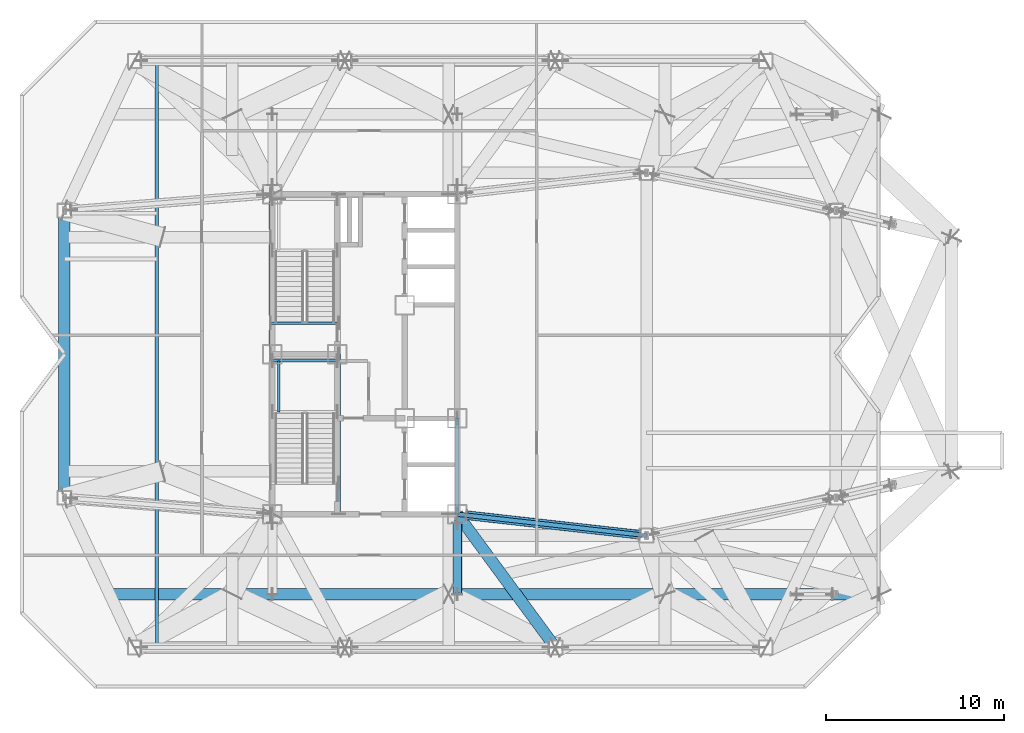
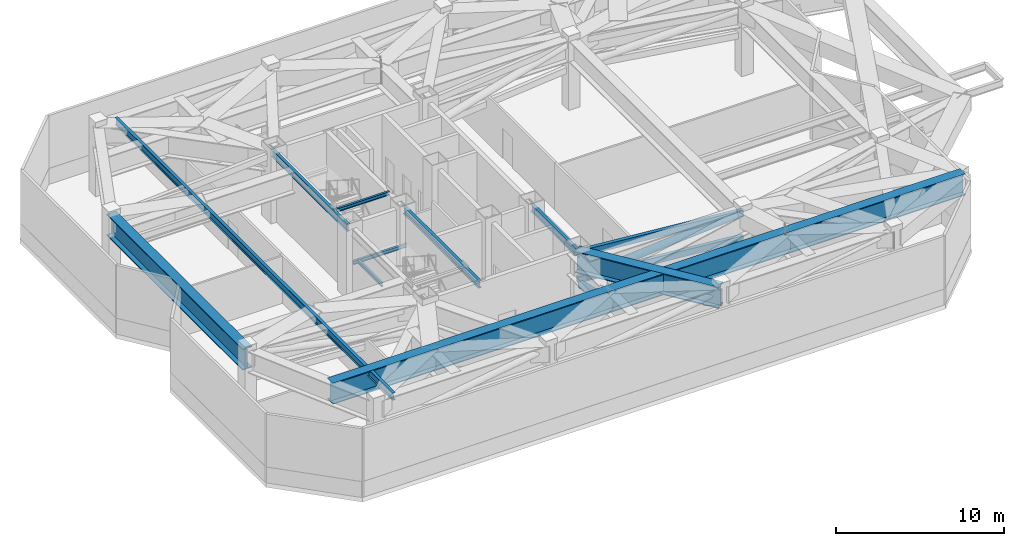
# One storey, part 3 of 19: 10 beams, 4 members.
"""IFC4 building model written with IfcOpenShell, lengths in metres."""

from ifc_helpers import new_model, si_unit, direction, frame, origin, origin_2d, place, context, subcontext, project, spatial, hollow_rectangle, hollow_circle, i_section, extrude, material, material_profile, profile_set, type_object, element, save


model = new_model("IFC4")

# Units and contexts
model_context = context("Model", 3, precision=1e-05, world=origin(), true_north=direction((0.0, 1.0)))
body_context = subcontext(model_context, "Body", "Model", "MODEL_VIEW")
ifc_project = project(units=[si_unit("LENGTHUNIT", "METRE"), si_unit("AREAUNIT", "SQUARE_METRE"), si_unit("VOLUMEUNIT", "CUBIC_METRE"), si_unit("PLANEANGLEUNIT", "RADIAN"), si_unit("MASSUNIT", "GRAM", prefix="KILO")], contexts=[model_context])

# Site, building, storey
site_placement = place(None, origin())
site = spatial("IfcSite", under=ifc_project, at=site_placement, CompositionType="ELEMENT")
building_placement = place(site_placement, origin())
building = spatial("IfcBuilding", under=site, at=building_placement, Name="Khamvora Tower", CompositionType="ELEMENT")
storey_placement = place(building_placement, frame((0.0, 0.0, 211.800048828125)))
storey = spatial("IfcBuildingStorey", under=building, at=storey_placement, Name="L54", CompositionType="ELEMENT", Elevation=211.800048828125)

# Beams
ifc_material_1 = material(Name="Steel S355", Category="steel")
ifc_material_profile_1 = material_profile(ifc_material_1, i_section(OverallWidth=0.14697265625, OverallDepth=0.261962890625, WebThickness=0.007080078125, FlangeThickness=0.010986328125, FilletRadius=0.008056640625, at=origin_2d()), Name="W250x39")
ifc_profile_set_1 = profile_set([ifc_material_profile_1], Name="Steel S355")
beam_type_1 = type_object("IfcBeamType", Name="BM-LN-W250x39", PredefinedType="LINTEL", material=ifc_profile_set_1)
beam_1_placement = place(storey_placement, frame((29.0, 27.6298828125, 2.368896484375), z_axis=(1.0, 0.0, 0.0), x_axis=(0.0, 1.0, 0.0)))
element("IfcBeam", 1, at=beam_1_placement, inside=storey, type_object=beam_type_1, Name="L54 ST-01 half-landing support beam 1.2", PredefinedType="LINTEL", context=body_context, shape_type="SweptSolid", body=[
    extrude(i_section(OverallWidth=0.14697265625, OverallDepth=0.261962890625, WebThickness=0.007080078125, FlangeThickness=0.010986328125, FilletRadius=0.008056640625, at=origin_2d()), origin(), (0.0, 0.0, 1.0), 3.64990234375),
])
beam_2_placement = place(storey_placement, frame((29.35009765625, 24.7548828125, 2.368896484375), z_axis=(0.0, 1.0, 0.0), x_axis=(-1.0, 0.0, 0.0)))
element("IfcBeam", 2, at=beam_2_placement, inside=storey, type_object=beam_type_1, Name="L54 ST-01 half-landing edge stringer 1", PredefinedType="LINTEL", context=body_context, shape_type="SweptSolid", body=[
    extrude(i_section(OverallWidth=0.14697265625, OverallDepth=0.261962890625, WebThickness=0.007080078125, FlangeThickness=0.010986328125, FilletRadius=0.008056640625, at=origin_2d()), origin(), (0.0, 0.0, 1.0), 2.875),
])
beam_3_placement = place(storey_placement, frame((28.89990234375, 29.75, 4.85400390625), z_axis=(1.0, 0.0, 0.0), x_axis=(0.0, 1.0, 0.0)))
element("IfcBeam", 3, at=beam_3_placement, inside=storey, type_object=beam_type_1, Name="L54 exit stair ST-02 landing trimmer beam", PredefinedType="LINTEL", context=body_context, shape_type="SweptSolid", body=[
    extrude(i_section(OverallWidth=0.14697265625, OverallDepth=0.261962890625, WebThickness=0.007080078125, FlangeThickness=0.010986328125, FilletRadius=0.008056640625, at=origin_2d()), origin(), (0.0, 0.0, 1.0), 3.830078125),
])
ifc_material_profile_2 = material_profile(ifc_material_1, i_section(OverallWidth=0.208984375, OverallDepth=0.532958984375, WebThickness=0.010009765625, FlangeThickness=0.01611328125, FilletRadius=0.013916015625, at=origin_2d()), Name="W530x92")
ifc_profile_set_2 = profile_set([ifc_material_profile_2], Name="Steel S355")
beam_type_2 = type_object("IfcBeamType", Name="BM-SP-W530x92", PredefinedType="SPANDREL", material=ifc_profile_set_2)
for number, where, z_axis, x_axis, name in (
    (4, (28.89990234375, 28.0, 4.712890625), (0.0, 1.0, 0.0), (-1.0, 0.0, 0.0), "L54 core spine girder WN"),
    (5, (32.72998046875, 19.0, 4.712890625), (0.0, 1.0, 0.0), (-1.0, 0.0, 0.0), "L54 core spine girder M1S"),
):
    element("IfcBeam", number, at=place(storey_placement, frame(where, z_axis=z_axis, x_axis=x_axis)), inside=storey, type_object=beam_type_2, Name=name, PredefinedType="SPANDREL", context=body_context, shape_type="SweptSolid", body=[
        extrude(i_section(OverallWidth=0.208984375, OverallDepth=0.532958984375, WebThickness=0.010009765625, FlangeThickness=0.01611328125, FilletRadius=0.013916015625, at=origin_2d()), origin(), (0.0, 0.0, 1.0), 9.0),
    ])
beam_4_placement = place(storey_placement, frame((39.39990234375, 19.0, 4.712890625), z_axis=(0.0, 1.0, 0.0), x_axis=(-1.0, 0.0, 0.0)))
element("IfcBeam", 6, at=beam_4_placement, inside=storey, type_object=beam_type_2, Name="L54 core spine girder ES", PredefinedType="SPANDREL", context=body_context, shape_type="SweptSolid", body=[
    extrude(i_section(OverallWidth=0.208984375, OverallDepth=0.532958984375, WebThickness=0.010009765625, FlangeThickness=0.01611328125, FilletRadius=0.013916015625, at=origin_2d()), origin(), (0.0, 0.0, 1.0), 5.39990234375),
])
beam_5_placement = place(storey_placement, frame((22.5, 11.5, 4.712890625), z_axis=(0.0, 1.0, 0.0), x_axis=(-1.0, 0.0, 0.0)))
element("IfcBeam", 7, at=beam_5_placement, inside=storey, type_object=beam_type_2, Name="L54 gallery back-span collector girder W", PredefinedType="SPANDREL", context=body_context, shape_type="SweptSolid", body=[
    extrude(i_section(OverallWidth=0.208984375, OverallDepth=0.532958984375, WebThickness=0.010009765625, FlangeThickness=0.01611328125, FilletRadius=0.013916015625, at=origin_2d()), origin(), (0.0, 0.0, 1.0), 33.0),
])
ifc_material_2 = material(Name="Steel S460", Category="steel")
ifc_material_profile_3 = material_profile(ifc_material_2, i_section(OverallWidth=0.64990234375, OverallDepth=1.550048828125, WebThickness=0.0400390625, FlangeThickness=0.06494140625, at=origin_2d()), Name="PG1550x650x40x65")
ifc_profile_set_3 = profile_set([ifc_material_profile_3], Name="Steel S460")
beam_type_3 = type_object("IfcBeamType", Name="BM-TG-PG1800", PredefinedType="BEAM", material=ifc_profile_set_3)
beam_6_placement = place(storey_placement, frame((17.300048828125, 36.074951171875, 4.204833984375), z_axis=(0.0, -1.0, 0.0), x_axis=(1.0, 0.0, 0.0)))
element("IfcBeam", 8, at=beam_6_placement, inside=storey, type_object=beam_type_3, Name="L54 perimeter spandrel beam W2-W1", PredefinedType="BEAM", context=body_context, shape_type="SweptSolid", body=[
    extrude(i_section(OverallWidth=0.64990234375, OverallDepth=1.550048828125, WebThickness=0.0400390625, FlangeThickness=0.06494140625, at=origin_2d()), origin(), (0.0, 0.0, 1.0), 16.14990234375),
])
beam_7_placement = place(storey_placement, frame((39.39990234375, 19.0, 4.204833984375), z_axis=(0.592556630955, -0.805528794713, 0.0), x_axis=(0.805528794713, 0.592556630955, 0.0)))
element("IfcBeam", 9, at=beam_7_placement, inside=storey, type_object=beam_type_3, Name="L54 primary floor girder S3", PredefinedType="BEAM", context=body_context, shape_type="SweptSolid", body=[
    extrude(i_section(OverallWidth=0.64990234375, OverallDepth=1.550048828125, WebThickness=0.0400390625, FlangeThickness=0.06494140625, at=origin_2d()), origin(), (0.0, 0.0, 1.0), 9.310546875),
])
beam_8_placement = place(storey_placement, frame((19.843017578125, 14.5, 4.204833984375), z_axis=(1.0, 0.0, 0.0), x_axis=(0.0, 1.0, 0.0)))
element("IfcBeam", 10, at=beam_8_placement, inside=storey, type_object=beam_type_3, Name="L54 Zone Transfer Truss Upper Box Girder S4", PredefinedType="BEAM", context=body_context, shape_type="SweptSolid", body=[
    extrude(i_section(OverallWidth=0.64990234375, OverallDepth=1.550048828125, WebThickness=0.0400390625, FlangeThickness=0.06494140625, at=origin_2d()), origin(), (0.0, 0.0, 1.0), 43.406982421875),
])

# Members
ifc_material_profile_4 = material_profile(ifc_material_2, hollow_circle(Radius=0.25390625, WallThickness=0.02490234375, at=origin_2d()), Name="CHS508x25")
ifc_profile_set_4 = profile_set([ifc_material_profile_4], Name="Steel S460")
member_type_1 = type_object("IfcMemberType", Name="MEM-BR-CHS508I", PredefinedType="BRACE", material=ifc_profile_set_4)
member_1_placement = place(storey_placement, frame((39.9189453125, 18.94189453125, 2.850830078125), z_axis=(0.978910332825, -0.1103242451, 0.171939295193), x_axis=(0.111992081939, 0.993709099074, 0.0)))
element("IfcMember", 11, at=member_1_placement, inside=storey, type_object=member_type_1, Name="L54 Outrigger Truss Web Diagonal 3", PredefinedType="BRACE", context=body_context, shape_type="SweptSolid", body=[
    extrude(hollow_circle(Radius=0.25390625, WallThickness=0.02490234375, at=origin_2d()), origin(), (0.0, 0.0, 1.0), 9.96923828125),
])
member_2_placement = place(storey_placement, frame((39.39990234375, 18.485107421875, 2.674072265625), z_axis=(0.0, -0.972421359479, 0.233231000574), x_axis=(1.0, 0.0, 0.0)))
element("IfcMember", 12, at=member_2_placement, inside=storey, type_object=member_type_1, Name="L54 Transfer Girder Raking Strut S4.2", PredefinedType="BRACE", context=body_context, shape_type="SweptSolid", body=[
    extrude(hollow_circle(Radius=0.25390625, WallThickness=0.02490234375, at=origin_2d()), origin(), (0.0, 0.0, 1.0), 4.09814453125),
])
ifc_material_profile_5 = material_profile(ifc_material_2, hollow_rectangle(XDim=0.25, YDim=0.449951171875, WallThickness=0.01611328125, at=origin_2d()), Name="RHS450x250x16")
ifc_profile_set_5 = profile_set([ifc_material_profile_5], Name="Steel S460")
member_type_2 = type_object("IfcMemberType", Name="MEM-CH-RHS450", PredefinedType="CHORD", material=ifc_profile_set_5)
for number, where, z_axis, x_axis, name in (
    (13, (39.39990234375, 19.0, 4.6298828125), (0.993712543569, -0.111961514606, 0.0), (0.111961514606, 0.993712543569, 0.0), "L54 Outrigger Truss Top Chord 3"),
    (14, (39.39990234375, 19.0, 2.760009765625), (0.993712543569, -0.111961514606, 0.0), (0.111961514606, 0.993712543569, 0.0), "L54 Outrigger Truss Bottom Chord 3"),
):
    element("IfcMember", number, at=place(storey_placement, frame(where, z_axis=z_axis, x_axis=x_axis)), inside=storey, type_object=member_type_2, Name=name, PredefinedType="CHORD", context=body_context, shape_type="SweptSolid", body=[
        extrude(hollow_rectangle(XDim=0.25, YDim=0.449951171875, WallThickness=0.01611328125, at=origin_2d()), origin(), (0.0, 0.0, 1.0), 10.717529296875),
    ])

save(model, "model.ifc")
